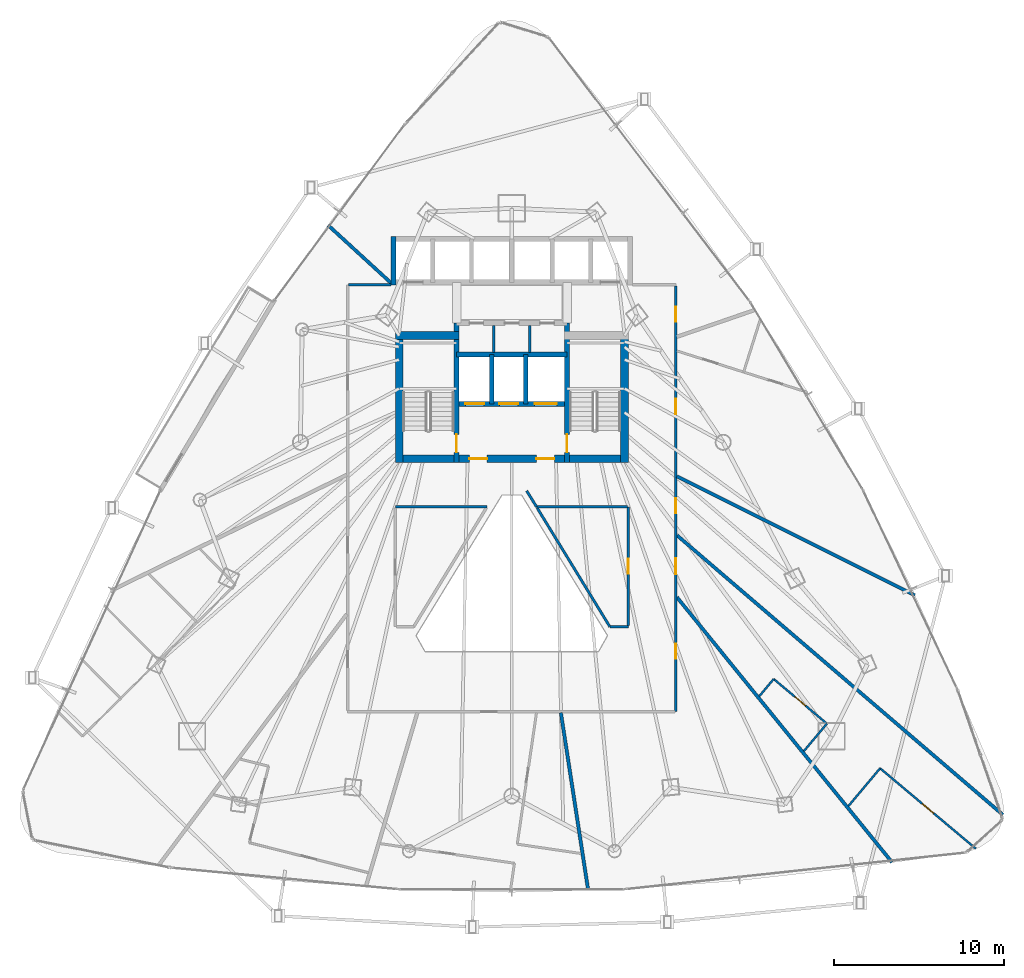
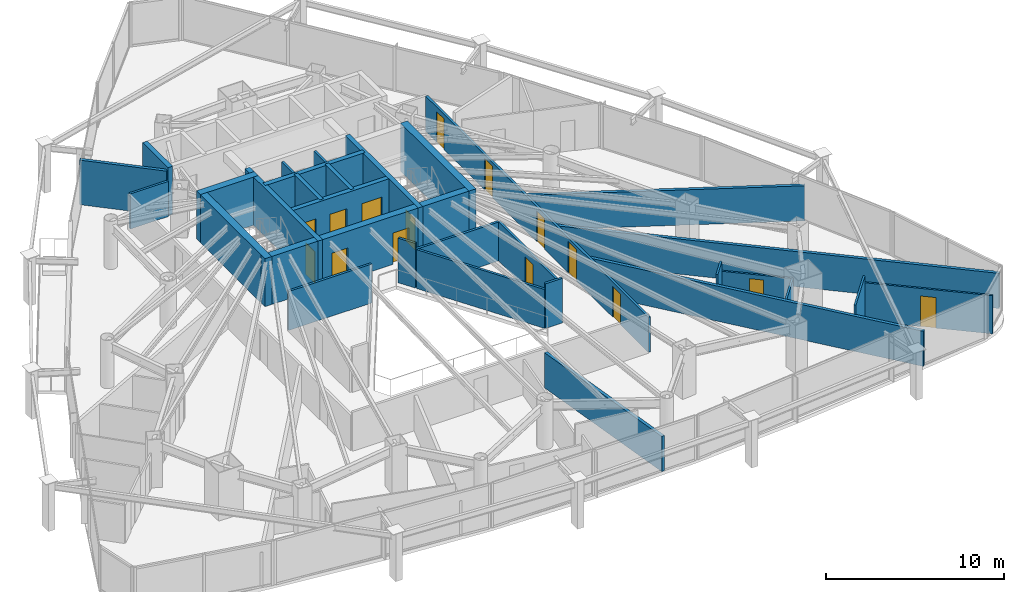
# One storey, part 30 of 35: 31 walls, 15 doors, 15 openings.
"""IFC4 building model written with IfcOpenShell, lengths in metres."""

from ifc_helpers import new_model, si_unit, direction, frame, frame_2d, origin, place, context, subcontext, project, spatial, rectangle, extrude, material, layer, layer_set, type_object, element, fill, save


model = new_model("IFC4")

# Units and contexts
model_context = context("Model", 3, precision=1e-05, world=origin(), true_north=direction((0.0, 1.0)))
body_context = subcontext(model_context, "Body", "Model", "MODEL_VIEW")
ifc_project = project(units=[si_unit("LENGTHUNIT", "METRE"), si_unit("AREAUNIT", "SQUARE_METRE"), si_unit("VOLUMEUNIT", "CUBIC_METRE"), si_unit("PLANEANGLEUNIT", "RADIAN"), si_unit("MASSUNIT", "GRAM", prefix="KILO")], contexts=[model_context])

# Site, building, storey
site_placement = place(None, origin())
site = spatial("IfcSite", under=ifc_project, at=site_placement, CompositionType="ELEMENT")
building_placement = place(site_placement, origin())
building = spatial("IfcBuilding", under=site, at=building_placement, Name="Orvanel Arch Residences", CompositionType="ELEMENT")
storey_placement = place(building_placement, frame((0.0, 0.0, 40.10009765625)))
storey = spatial("IfcBuildingStorey", under=building, at=storey_placement, Name="L10", CompositionType="ELEMENT", Elevation=40.10009765625)

# Walls
ifc_material_1 = material(Name="Concrete N50 (50 MPa)", Category="concrete")
ifc_layer_1 = layer(ifc_material_1, 0.25)
ifc_layer_set_1 = layer_set([ifc_layer_1], Name="Concrete N50 (50 MPa)")
wall_type_1 = type_object("IfcWallType", Name="SW-CORE-250", PredefinedType="SHEAR", material=ifc_layer_set_1)
for number, where, z_axis, x_axis, name in (
    (1, (31.824951171875, 29.89990234375, 0.0), (0.0, 0.0, 1.0), (0.0, 1.0, 0.0), "L10 Emergency Lift Inter-Shaft Wall F12"),
    (2, (33.824951171875, 29.89990234375, 0.0), (0.0, 0.0, 1.0), (0.0, 1.0, 0.0), "L10 Emergency Lift Inter-Shaft Wall F2G"),
):
    element("IfcWall", number, at=place(storey_placement, frame(where, z_axis=z_axis, x_axis=x_axis)), inside=storey, type_object=wall_type_1, Name=name, PredefinedType="SHEAR", context=body_context, shape_type="SweptSolid", body=[
        extrude(rectangle(XDim=2.900146484375, YDim=0.25, at=frame_2d((1.4501953125, 0.0))), origin(), (0.0, 0.0, 1.0), 3.2998046875),
    ])

# Wall, opening, door
ifc_material_2 = material(Name="Concrete S80 (80 MPa)", Category="concrete")
ifc_layer_2 = layer(ifc_material_2, 0.300048828125)
ifc_layer_set_2 = layer_set([ifc_layer_2], Name="Concrete S80 (80 MPa)")
wall_type_2 = type_object("IfcWallType", Name="SW-CORE-300", PredefinedType="SHEAR", material=ifc_layer_set_2)
wall_1_placement = place(storey_placement, frame((29.75, 26.449951171875, 0.0), z_axis=(0.0, 0.0, 1.0), x_axis=(0.0, 1.0, 0.0)))
wall_1 = element("IfcWall", 3, at=wall_1_placement, inside=storey, type_object=wall_type_2, Name="L10 West Inner Core Spine Shear Wall", PredefinedType="SHEAR", context=body_context, shape_type="SweptSolid", body=[
    extrude(rectangle(XDim=8.199951171875, YDim=0.300048828125, at=frame_2d((4.10009765625, 0.0))), origin(), (0.0, 0.0, 1.0), 3.2998046875),
])
opening_1_placement = place(wall_1_placement, frame((0.60009765625, 0.0, 0.0)))
opening_1 = element("IfcOpeningElement", 4, at=opening_1_placement, cuts=wall_1, Name="Opening DF-120", PredefinedType="OPENING", context=body_context, shape_type="SweptSolid", body=[
    extrude(rectangle(XDim=1.050048828125, YDim=2.14990234375, at=frame_2d((0.52490234375, 1.074951171875))), frame((0.0, 0.159912109375, 0.0), z_axis=(0.0, -1.0, 0.0), x_axis=(1.0, 0.0, 0.0)), (0.0, 0.0, 1.0), 0.320068359375),
])
ifc_material_3 = material(Name="Galvanised steel fire-resisting door assembly", Category="steel")
door_type_1 = type_object("IfcDoorType", Name="DR-FD120-1050", OperationType="NOTDEFINED", PredefinedType="DOOR", material=ifc_material_3)
door_1_placement = place(opening_1_placement, origin())
door_1 = element("IfcDoor", 5, at=door_1_placement, inside=storey, type_object=door_type_1, Name="DR-L10-ST1 L10 Stair 1 Fire Door", OperationType="SINGLE_SWING_LEFT", OverallHeight=2.14990234375, OverallWidth=1.050048828125, PredefinedType="DOOR", context=body_context, shape_type="SweptSolid", body=[
    extrude(rectangle(XDim=1.050048828125, YDim=2.14990234375, at=frame_2d((0.52490234375, 1.074951171875))), frame((0.0, 0.02490234375, 0.0), z_axis=(0.0, -1.0, 0.0), x_axis=(1.0, 0.0, 0.0)), (0.0, 0.0, 1.0), 0.050048828125),
])
fill(opening_1, door_1)

wall_2_placement = place(storey_placement, frame((36.25, 26.449951171875, 0.0), z_axis=(0.0, 0.0, 1.0), x_axis=(0.0, 1.0, 0.0)))
wall_2 = element("IfcWall", 6, at=wall_2_placement, inside=storey, type_object=wall_type_2, Name="L10 East Inner Core Spine Shear Wall", PredefinedType="SHEAR", context=body_context, shape_type="SweptSolid", body=[
    extrude(rectangle(XDim=8.199951171875, YDim=0.300048828125, at=frame_2d((4.10009765625, 0.0))), origin(), (0.0, 0.0, 1.0), 3.2998046875),
])
opening_2_placement = place(wall_2_placement, frame((0.60009765625, 0.0, 0.0)))
opening_2 = element("IfcOpeningElement", 7, at=opening_2_placement, cuts=wall_2, Name="Opening DF-120", PredefinedType="OPENING", context=body_context, shape_type="SweptSolid", body=[
    extrude(rectangle(XDim=1.050048828125, YDim=2.14990234375, at=frame_2d((0.52490234375, 1.074951171875))), frame((0.0, 0.159912109375, 0.0), z_axis=(0.0, -1.0, 0.0), x_axis=(1.0, 0.0, 0.0)), (0.0, 0.0, 1.0), 0.320068359375),
])
door_2_placement = place(opening_2_placement, origin())
door_2 = element("IfcDoor", 8, at=door_2_placement, inside=storey, type_object=door_type_1, Name="DR-L10-ST2 L10 Stair 2 Fire Door", OperationType="SINGLE_SWING_RIGHT", OverallHeight=2.14990234375, OverallWidth=1.050048828125, PredefinedType="DOOR", context=body_context, shape_type="SweptSolid", body=[
    extrude(rectangle(XDim=1.050048828125, YDim=2.14990234375, at=frame_2d((0.52490234375, 1.074951171875))), frame((0.0, 0.02490234375, 0.0), z_axis=(0.0, -1.0, 0.0), x_axis=(1.0, 0.0, 0.0)), (0.0, 0.0, 1.0), 0.050048828125),
])
fill(opening_2, door_2)

# Wall, openings, doors
wall_3_placement = place(storey_placement, frame((36.25, 29.89990234375, 0.0), z_axis=(0.0, 0.0, 1.0), x_axis=(-1.0, 0.0, 0.0)))
wall_3 = element("IfcWall", 9, at=wall_3_placement, inside=storey, type_object=wall_type_2, Name="L10 Emergency Lift Front Core Shear Wall", PredefinedType="SHEAR", context=body_context, shape_type="SweptSolid", body=[
    extrude(rectangle(XDim=6.5, YDim=0.300048828125, at=frame_2d((3.25, 0.0))), origin(), (0.0, 0.0, 1.0), 3.2998046875),
])
opening_3_placement = place(wall_3_placement, frame((4.875, 0.0, 0.0)))
opening_3 = element("IfcOpeningElement", 10, at=opening_3_placement, cuts=wall_3, Name="Opening LD-110", PredefinedType="OPENING", context=body_context, shape_type="SweptSolid", body=[
    extrude(rectangle(XDim=1.10009765625, YDim=2.199951171875, at=frame_2d((0.550048828125, 1.10009765625))), frame((0.0, 0.159912109375, 0.0), z_axis=(0.0, -1.0, 0.0), x_axis=(1.0, 0.0, 0.0)), (0.0, 0.0, 1.0), 0.320068359375),
])
opening_4_placement = place(wall_3_placement, frame((2.875, 0.0, 0.0)))
opening_4 = element("IfcOpeningElement", 11, at=opening_4_placement, cuts=wall_3, Name="Opening LD-110", PredefinedType="OPENING", context=body_context, shape_type="SweptSolid", body=[
    extrude(rectangle(XDim=1.10009765625, YDim=2.199951171875, at=frame_2d((0.550048828125, 1.10009765625))), frame((0.0, 0.159912109375, 0.0), z_axis=(0.0, -1.0, 0.0), x_axis=(1.0, 0.0, 0.0)), (0.0, 0.0, 1.0), 0.320068359375),
])
opening_5_placement = place(wall_3_placement, frame((0.60009765625, 0.0, 0.0)))
opening_5 = element("IfcOpeningElement", 12, at=opening_5_placement, cuts=wall_3, Name="Opening LD-130", PredefinedType="OPENING", context=body_context, shape_type="SweptSolid", body=[
    extrude(rectangle(XDim=1.300048828125, YDim=2.199951171875, at=frame_2d((0.64990234375, 1.10009765625))), frame((0.0, 0.159912109375, 0.0), z_axis=(0.0, -1.0, 0.0), x_axis=(1.0, 0.0, 0.0)), (0.0, 0.0, 1.0), 0.320068359375),
])
door_type_2 = type_object("IfcDoorType", Name="DR-LFT-1100", OperationType="NOTDEFINED", PredefinedType="DOOR", material=ifc_material_3)
door_3_placement = place(opening_3_placement, origin())
door_3 = element("IfcDoor", 13, at=door_3_placement, inside=storey, type_object=door_type_2, Name="LD-F1-L10 L10 Lift F1 Sliding Landing Door", OperationType="DOUBLE_DOOR_SLIDING", OverallHeight=2.199951171875, OverallWidth=1.10009765625, PredefinedType="DOOR", context=body_context, shape_type="SweptSolid", body=[
    extrude(rectangle(XDim=1.10009765625, YDim=2.199951171875, at=frame_2d((0.550048828125, 1.10009765625))), frame((0.0, 0.02490234375, 0.0), z_axis=(0.0, -1.0, 0.0), x_axis=(1.0, 0.0, 0.0)), (0.0, 0.0, 1.0), 0.050048828125),
])
fill(opening_3, door_3)
door_4_placement = place(opening_4_placement, origin())
door_4 = element("IfcDoor", 14, at=door_4_placement, inside=storey, type_object=door_type_2, Name="LD-F2-L10 L10 Lift F2 Sliding Landing Door", OperationType="DOUBLE_DOOR_SLIDING", OverallHeight=2.199951171875, OverallWidth=1.10009765625, PredefinedType="DOOR", context=body_context, shape_type="SweptSolid", body=[
    extrude(rectangle(XDim=1.10009765625, YDim=2.199951171875, at=frame_2d((0.550048828125, 1.10009765625))), frame((0.0, 0.02490234375, 0.0), z_axis=(0.0, -1.0, 0.0), x_axis=(1.0, 0.0, 0.0)), (0.0, 0.0, 1.0), 0.050048828125),
])
fill(opening_4, door_4)
door_type_3 = type_object("IfcDoorType", Name="DR-LFT-1300", OperationType="NOTDEFINED", PredefinedType="DOOR", material=ifc_material_3)
door_5_placement = place(opening_5_placement, origin())
door_5 = element("IfcDoor", 15, at=door_5_placement, inside=storey, type_object=door_type_3, Name="LD-G1-L10 L10 Lift G1 Sliding Landing Door", OperationType="DOUBLE_DOOR_SLIDING", OverallHeight=2.199951171875, OverallWidth=1.300048828125, PredefinedType="DOOR", context=body_context, shape_type="SweptSolid", body=[
    extrude(rectangle(XDim=1.300048828125, YDim=2.199951171875, at=frame_2d((0.64990234375, 1.10009765625))), frame((0.0, 0.02490234375, 0.0), z_axis=(0.0, -1.0, 0.0), x_axis=(1.0, 0.0, 0.0)), (0.0, 0.0, 1.0), 0.050048828125),
])
fill(opening_5, door_5)

# Walls
wall_4_placement = place(storey_placement, frame((29.75, 32.800048828125, 0.0), z_axis=(0.0, 0.0, 1.0), x_axis=(1.0, 0.0, 0.0)))
element("IfcWall", 16, at=wall_4_placement, inside=storey, type_object=wall_type_2, Name="L10 Emergency Lift Back Core Shear Wall", PredefinedType="SHEAR", context=body_context, shape_type="SweptSolid", body=[
    extrude(rectangle(XDim=6.5, YDim=0.300048828125, at=frame_2d((3.25, 0.0))), origin(), (0.0, 0.0, 1.0), 3.2998046875),
])
wall_5_placement = place(storey_placement, frame((26.050048828125, 36.89990234375, 0.0), z_axis=(0.0, 0.0, 1.0), x_axis=(0.0, 1.0, 0.0)))
element("IfcWall", 17, at=wall_5_placement, inside=storey, type_object=wall_type_2, Name="L10 Passenger Lift Bank West Shear Wall", PredefinedType="SHEAR", context=body_context, shape_type="SweptSolid", body=[
    extrude(rectangle(XDim=2.85009765625, YDim=0.300048828125, at=frame_2d((1.425048828125, 0.0))), origin(), (0.0, 0.0, 1.0), 3.2998046875),
])

# Wall, openings, doors
ifc_layer_3 = layer(ifc_material_2, 0.449951171875)
ifc_layer_set_3 = layer_set([ifc_layer_3], Name="Concrete S80 (80 MPa)")
wall_type_3 = type_object("IfcWallType", Name="SW-CORE-450", PredefinedType="SHEAR", material=ifc_layer_set_3)
wall_6_placement = place(storey_placement, frame((26.14990234375, 26.675048828125, 0.0), z_axis=(0.0, 0.0, 1.0), x_axis=(1.0, 0.0, 0.0)))
wall_6 = element("IfcWall", 18, at=wall_6_placement, inside=storey, type_object=wall_type_3, Name="L10 South Core Shear Wall", PredefinedType="SHEAR", context=body_context, shape_type="SweptSolid", body=[
    extrude(rectangle(XDim=13.7001953125, YDim=0.449951171875, at=frame_2d((6.85009765625, 0.0))), origin(), (0.0, 0.0, 1.0), 3.2998046875),
])
opening_6_placement = place(wall_6_placement, frame((4.35009765625, 0.0, 0.0)))
opening_6 = element("IfcOpeningElement", 19, at=opening_6_placement, cuts=wall_6, Name="Opening DF-060", PredefinedType="OPENING", context=body_context, shape_type="SweptSolid", body=[
    extrude(rectangle(XDim=1.050048828125, YDim=2.14990234375, at=frame_2d((0.52490234375, 1.074951171875))), frame((0.0, 0.23486328125, 0.0), z_axis=(0.0, -1.0, 0.0), x_axis=(1.0, 0.0, 0.0)), (0.0, 0.0, 1.0), 0.469970703125),
])
opening_7_placement = place(wall_6_placement, frame((8.300048828125, 0.0, 0.0)))
opening_7 = element("IfcOpeningElement", 20, at=opening_7_placement, cuts=wall_6, Name="Opening DF-060", PredefinedType="OPENING", context=body_context, shape_type="SweptSolid", body=[
    extrude(rectangle(XDim=1.050048828125, YDim=2.14990234375, at=frame_2d((0.52490234375, 1.074951171875))), frame((0.0, 0.23486328125, 0.0), z_axis=(0.0, -1.0, 0.0), x_axis=(1.0, 0.0, 0.0)), (0.0, 0.0, 1.0), 0.469970703125),
])
door_type_4 = type_object("IfcDoorType", Name="DR-FD60-1050", OperationType="NOTDEFINED", PredefinedType="DOOR", material=ifc_material_3)
door_6_placement = place(opening_6_placement, origin())
door_6 = element("IfcDoor", 21, at=door_6_placement, inside=storey, type_object=door_type_4, Name="DR-L10-FFL-W L10 West Smoke Lobby Door", OperationType="SINGLE_SWING_LEFT", OverallHeight=2.14990234375, OverallWidth=1.050048828125, PredefinedType="DOOR", context=body_context, shape_type="SweptSolid", body=[
    extrude(rectangle(XDim=1.050048828125, YDim=2.14990234375, at=frame_2d((0.52490234375, 1.074951171875))), frame((0.0, 0.02490234375, 0.0), z_axis=(0.0, -1.0, 0.0), x_axis=(1.0, 0.0, 0.0)), (0.0, 0.0, 1.0), 0.050048828125),
])
fill(opening_6, door_6)
door_7_placement = place(opening_7_placement, origin())
door_7 = element("IfcDoor", 22, at=door_7_placement, inside=storey, type_object=door_type_4, Name="DR-L10-FFL-E L10 East Smoke Lobby Door", OperationType="SINGLE_SWING_RIGHT", OverallHeight=2.14990234375, OverallWidth=1.050048828125, PredefinedType="DOOR", context=body_context, shape_type="SweptSolid", body=[
    extrude(rectangle(XDim=1.050048828125, YDim=2.14990234375, at=frame_2d((0.52490234375, 1.074951171875))), frame((0.0, 0.02490234375, 0.0), z_axis=(0.0, -1.0, 0.0), x_axis=(1.0, 0.0, 0.0)), (0.0, 0.0, 1.0), 0.050048828125),
])
fill(opening_7, door_7)

# Walls
wall_7_placement = place(storey_placement, frame((26.375, 26.449951171875, 0.0), z_axis=(0.0, 0.0, 1.0), x_axis=(0.0, 1.0, 0.0)))
element("IfcWall", 23, at=wall_7_placement, inside=storey, type_object=wall_type_3, Name="L10 West Stair Shear Wall", PredefinedType="SHEAR", context=body_context, shape_type="SweptSolid", body=[
    extrude(rectangle(XDim=7.699951171875, YDim=0.449951171875, at=frame_2d((3.85009765625, 0.0))), origin(), (0.0, 0.0, 1.0), 3.2998046875),
])
wall_8_placement = place(storey_placement, frame((26.14990234375, 33.925048828125, 0.0), z_axis=(0.0, 0.0, 1.0), x_axis=(1.0, 0.0, 0.0)))
element("IfcWall", 24, at=wall_8_placement, inside=storey, type_object=wall_type_3, Name="L10 West Stair North Shear Wall", PredefinedType="SHEAR", context=body_context, shape_type="SweptSolid", body=[
    extrude(rectangle(XDim=3.75, YDim=0.449951171875, at=frame_2d((1.875, 0.0))), origin(), (0.0, 0.0, 1.0), 3.2998046875),
])
wall_9_placement = place(storey_placement, frame((39.625, 26.449951171875, 0.0), z_axis=(0.0, 0.0, 1.0), x_axis=(0.0, 1.0, 0.0)))
element("IfcWall", 25, at=wall_9_placement, inside=storey, type_object=wall_type_3, Name="L10 East Stair Shear Wall", PredefinedType="SHEAR", context=body_context, shape_type="SweptSolid", body=[
    extrude(rectangle(XDim=7.699951171875, YDim=0.449951171875, at=frame_2d((3.85009765625, 0.0))), origin(), (0.0, 0.0, 1.0), 3.2998046875),
])

# Wall, openings, doors
ifc_material_4 = material(Name="Fire-rated plasterboard lined steel stud partition", Category="steel")
ifc_layer_4 = layer(ifc_material_4, 0.14990234375)
ifc_layer_set_4 = layer_set([ifc_layer_4], Name="Fire-rated plasterboard lined steel stud partition")
wall_type_4 = type_object("IfcWallType", Name="W-COR-150", PredefinedType="PARTITIONING", material=ifc_layer_set_4)
wall_10_placement = place(storey_placement, frame((42.64990234375, 36.840087890625, 0.0), z_axis=(0.0, 0.0, 1.0), x_axis=(0.0, -1.0, 0.0)))
wall_10 = element("IfcWall", 26, at=wall_10_placement, inside=storey, type_object=wall_type_4, Name="L10 Corridor Fire-Rated Partition", PredefinedType="PARTITIONING", context=body_context, shape_type="SweptSolid", body=[
    extrude(rectangle(XDim=25.0400390625, YDim=0.14990234375, at=frame_2d((12.52001953125, 0.0))), origin(), (0.0, 0.0, 1.0), 2.412841796875),
])
opening_8_placement = place(wall_10_placement, frame((1.218994140625, 0.0, 0.0)))
opening_8 = element("IfcOpeningElement", 27, at=opening_8_placement, cuts=wall_10, Name="Opening DI-088", PredefinedType="OPENING", context=body_context, shape_type="SweptSolid", body=[
    extrude(rectangle(XDim=0.8798828125, YDim=2.10009765625, at=frame_2d((0.43994140625, 1.050048828125))), frame((0.0, 0.0849609375, 0.0), z_axis=(0.0, -1.0, 0.0), x_axis=(1.0, 0.0, 0.0)), (0.0, 0.0, 1.0), 0.169921875),
])
opening_9_placement = place(wall_10_placement, frame((21.047119140625, 0.0, 0.0)))
opening_9 = element("IfcOpeningElement", 28, at=opening_9_placement, cuts=wall_10, Name="Opening DI-088", PredefinedType="OPENING", context=body_context, shape_type="SweptSolid", body=[
    extrude(rectangle(XDim=0.8798828125, YDim=2.10009765625, at=frame_2d((0.43994140625, 1.050048828125))), frame((0.0, 0.0849609375, 0.0), z_axis=(0.0, -1.0, 0.0), x_axis=(1.0, 0.0, 0.0)), (0.0, 0.0, 1.0), 0.169921875),
])
opening_10_placement = place(wall_10_placement, frame((16.029052734375, 0.0, 0.0)))
opening_10 = element("IfcOpeningElement", 29, at=opening_10_placement, cuts=wall_10, Name="Opening DA-092", PredefinedType="OPENING", context=body_context, shape_type="SweptSolid", body=[
    extrude(rectangle(XDim=0.919921875, YDim=2.14990234375, at=frame_2d((0.4599609375, 1.074951171875))), frame((0.0, 0.0849609375, 0.0), z_axis=(0.0, -1.0, 0.0), x_axis=(1.0, 0.0, 0.0)), (0.0, 0.0, 1.0), 0.169921875),
])
opening_11_placement = place(wall_10_placement, frame((12.486083984375, 0.0, 0.0)))
opening_11 = element("IfcOpeningElement", 30, at=opening_11_placement, cuts=wall_10, Name="Opening DI-088", PredefinedType="OPENING", context=body_context, shape_type="SweptSolid", body=[
    extrude(rectangle(XDim=0.8798828125, YDim=2.10009765625, at=frame_2d((0.43994140625, 1.050048828125))), frame((0.0, 0.0849609375, 0.0), z_axis=(0.0, -1.0, 0.0), x_axis=(1.0, 0.0, 0.0)), (0.0, 0.0, 1.0), 0.169921875),
])
opening_12_placement = place(wall_10_placement, frame((6.637939453125, 0.0, 0.0)))
opening_12 = element("IfcOpeningElement", 31, at=opening_12_placement, cuts=wall_10, Name="Opening DA-092", PredefinedType="OPENING", context=body_context, shape_type="SweptSolid", body=[
    extrude(rectangle(XDim=0.919921875, YDim=2.14990234375, at=frame_2d((0.4599609375, 1.074951171875))), frame((0.0, 0.0849609375, 0.0), z_axis=(0.0, -1.0, 0.0), x_axis=(1.0, 0.0, 0.0)), (0.0, 0.0, 1.0), 0.169921875),
])
ifc_material_5 = material(Name="Solid-core European oak veneer fire door leaf", Category="wood")
door_type_5 = type_object("IfcDoorType", Name="DR-APT-920", OperationType="NOTDEFINED", PredefinedType="DOOR", material=ifc_material_5)
door_8_placement = place(opening_10_placement, origin())
door_8 = element("IfcDoor", 32, at=door_8_placement, inside=storey, type_object=door_type_5, Name="DR-L10-G-ENT L10 Studio G Entrance Door", OperationType="SINGLE_SWING_RIGHT", OverallHeight=2.14990234375, OverallWidth=0.919921875, PredefinedType="DOOR", context=body_context, shape_type="SweptSolid", body=[
    extrude(rectangle(XDim=0.919921875, YDim=2.14990234375, at=frame_2d((0.4599609375, 1.074951171875))), frame((0.0, 0.02490234375, 0.0), z_axis=(0.0, -1.0, 0.0), x_axis=(1.0, 0.0, 0.0)), (0.0, 0.0, 1.0), 0.050048828125),
])
fill(opening_10, door_8)
door_9_placement = place(opening_12_placement, origin())
door_9 = element("IfcDoor", 33, at=door_9_placement, inside=storey, type_object=door_type_5, Name="DR-L10-I-ENT L10 Studio I Entrance Door", OperationType="SINGLE_SWING_RIGHT", OverallHeight=2.14990234375, OverallWidth=0.919921875, PredefinedType="DOOR", context=body_context, shape_type="SweptSolid", body=[
    extrude(rectangle(XDim=0.919921875, YDim=2.14990234375, at=frame_2d((0.4599609375, 1.074951171875))), frame((0.0, 0.02490234375, 0.0), z_axis=(0.0, -1.0, 0.0), x_axis=(1.0, 0.0, 0.0)), (0.0, 0.0, 1.0), 0.050048828125),
])
fill(opening_12, door_9)
door_type_6 = type_object("IfcDoorType", Name="DR-INT-880", OperationType="NOTDEFINED", PredefinedType="DOOR", material=ifc_material_5)
door_10_placement = place(opening_8_placement, origin())
door_10 = element("IfcDoor", 34, at=door_10_placement, inside=storey, type_object=door_type_6, Name="DR-L10-SHRD-FB2 L10 Co-Working Study Office B Door", OperationType="SINGLE_SWING_LEFT", OverallHeight=2.10009765625, OverallWidth=0.8798828125, PredefinedType="DOOR", context=body_context, shape_type="SweptSolid", body=[
    extrude(rectangle(XDim=0.8798828125, YDim=2.10009765625, at=frame_2d((0.43994140625, 1.050048828125))), frame((0.0, 0.02490234375, 0.0), z_axis=(0.0, -1.0, 0.0), x_axis=(1.0, 0.0, 0.0)), (0.0, 0.0, 1.0), 0.050048828125),
])
fill(opening_8, door_10)
door_11_placement = place(opening_9_placement, origin())
door_11 = element("IfcDoor", 35, at=door_11_placement, inside=storey, type_object=door_type_6, Name="DR-L10-SHRD-FB3 L10 Co-Working Study Office C Door", OperationType="SINGLE_SWING_LEFT", OverallHeight=2.10009765625, OverallWidth=0.8798828125, PredefinedType="DOOR", context=body_context, shape_type="SweptSolid", body=[
    extrude(rectangle(XDim=0.8798828125, YDim=2.10009765625, at=frame_2d((0.43994140625, 1.050048828125))), frame((0.0, 0.02490234375, 0.0), z_axis=(0.0, -1.0, 0.0), x_axis=(1.0, 0.0, 0.0)), (0.0, 0.0, 1.0), 0.050048828125),
])
fill(opening_9, door_11)
door_12_placement = place(opening_11_placement, origin())
door_12 = element("IfcDoor", 36, at=door_12_placement, inside=storey, type_object=door_type_6, Name="DR-L10-SHRD-FB8 L10 Co-Working Study Office H Door", OperationType="SINGLE_SWING_LEFT", OverallHeight=2.10009765625, OverallWidth=0.8798828125, PredefinedType="DOOR", context=body_context, shape_type="SweptSolid", body=[
    extrude(rectangle(XDim=0.8798828125, YDim=2.10009765625, at=frame_2d((0.43994140625, 1.050048828125))), frame((0.0, 0.02490234375, 0.0), z_axis=(0.0, -1.0, 0.0), x_axis=(1.0, 0.0, 0.0)), (0.0, 0.0, 1.0), 0.050048828125),
])
fill(opening_11, door_12)

# Walls
wall_11_placement = place(storey_placement, frame((23.409912109375, 36.89990234375, 0.0), z_axis=(0.0, 0.0, 1.0), x_axis=(1.0, 0.0, 0.0)))
element("IfcWall", 37, at=wall_11_placement, inside=storey, type_object=wall_type_4, Name="L10 Corridor Fire-Rated Partition", PredefinedType="PARTITIONING", context=body_context, shape_type="SweptSolid", body=[
    extrude(rectangle(XDim=2.489990234375, YDim=0.14990234375, at=frame_2d((1.2451171875, 0.0))), origin(), (0.0, 0.0, 1.0), 2.412841796875),
])
wall_12_placement = place(storey_placement, frame((31.544921875, 23.85009765625, 0.0), z_axis=(0.0, 0.0, 1.0), x_axis=(-1.0, 0.0, 0.0)))
element("IfcWall", 38, at=wall_12_placement, inside=storey, type_object=wall_type_4, Name="L10 Corridor Fire-Rated Partition", PredefinedType="PARTITIONING", context=body_context, shape_type="SweptSolid", body=[
    extrude(rectangle(XDim=5.39501953125, YDim=0.14990234375, at=frame_2d((2.697509765625, 0.0))), origin(), (0.0, 0.0, 1.0), 2.6689453125),
])
wall_13_placement = place(storey_placement, frame((38.763916015625, 16.800048828125, 0.0), z_axis=(0.0, 0.0, 1.0), x_axis=(1.0, 0.0, 0.0)))
element("IfcWall", 39, at=wall_13_placement, inside=storey, type_object=wall_type_4, Name="L10 Corridor Fire-Rated Partition", PredefinedType="PARTITIONING", context=body_context, shape_type="SweptSolid", body=[
    extrude(rectangle(XDim=1.086181640625, YDim=0.14990234375, at=frame_2d((0.54296875, 0.0))), origin(), (0.0, 0.0, 1.0), 3.059814453125),
])

# Wall, opening, door
wall_14_placement = place(storey_placement, frame((39.85009765625, 16.860107421875, 0.0), z_axis=(0.0, 0.0, 1.0), x_axis=(0.0, 1.0, 0.0)))
wall_14 = element("IfcWall", 40, at=wall_14_placement, inside=storey, type_object=wall_type_4, Name="L10 Corridor Fire-Rated Partition", PredefinedType="PARTITIONING", context=body_context, shape_type="SweptSolid", body=[
    extrude(rectangle(XDim=6.989990234375, YDim=0.14990234375, at=frame_2d((3.4951171875, 0.0))), origin(), (0.0, 0.0, 1.0), 2.6689453125),
])
opening_13_placement = place(wall_14_placement, frame((3.054931640625, 0.0, 0.0)))
opening_13 = element("IfcOpeningElement", 41, at=opening_13_placement, cuts=wall_14, Name="Opening DI-088", PredefinedType="OPENING", context=body_context, shape_type="SweptSolid", body=[
    extrude(rectangle(XDim=0.8798828125, YDim=2.10009765625, at=frame_2d((0.43994140625, 1.050048828125))), frame((0.0, 0.0849609375, 0.0), z_axis=(0.0, -1.0, 0.0), x_axis=(1.0, 0.0, 0.0)), (0.0, 0.0, 1.0), 0.169921875),
])
door_13_placement = place(opening_13_placement, origin())
door_13 = element("IfcDoor", 42, at=door_13_placement, inside=storey, type_object=door_type_6, Name="DR-L10-SHRD-FB11 L10 Co-Working Study Office K Door", OperationType="SINGLE_SWING_LEFT", OverallHeight=2.10009765625, OverallWidth=0.8798828125, PredefinedType="DOOR", context=body_context, shape_type="SweptSolid", body=[
    extrude(rectangle(XDim=0.8798828125, YDim=2.10009765625, at=frame_2d((0.43994140625, 1.050048828125))), frame((0.0, 0.02490234375, 0.0), z_axis=(0.0, -1.0, 0.0), x_axis=(1.0, 0.0, 0.0)), (0.0, 0.0, 1.0), 0.050048828125),
])
fill(opening_13, door_13)

# Walls
wall_15_placement = place(storey_placement, frame((39.7900390625, 23.85009765625, 0.0), z_axis=(0.0, 0.0, 1.0), x_axis=(-1.0, 0.0, 0.0)))
element("IfcWall", 43, at=wall_15_placement, inside=storey, type_object=wall_type_4, Name="L10 Corridor Fire-Rated Partition", PredefinedType="PARTITIONING", context=body_context, shape_type="SweptSolid", body=[
    extrude(rectangle(XDim=5.3349609375, YDim=0.14990234375, at=frame_2d((2.66748046875, 0.0))), origin(), (0.0, 0.0, 1.0), 2.6689453125),
])
wall_16_placement = place(storey_placement, frame((34.455078125, 23.85009765625, 0.0), z_axis=(0.0, 0.0, 1.0), x_axis=(-0.525973516201, 0.850500946652, 0.0)))
element("IfcWall", 44, at=wall_16_placement, inside=storey, type_object=wall_type_4, Name="L10 Corridor Fire-Rated Partition", PredefinedType="PARTITIONING", context=body_context, shape_type="SweptSolid", body=[
    extrude(rectangle(XDim=1.102783203125, YDim=0.14990234375, at=frame_2d((0.55126953125, 0.0))), origin(), (0.0, 0.0, 1.0), 3.059814453125),
])
wall_17_placement = place(storey_placement, frame((34.486083984375, 23.7900390625, 0.0), z_axis=(0.0, 0.0, 1.0), x_axis=(0.521998190399, -0.852946592244, 0.0)))
element("IfcWall", 45, at=wall_17_placement, inside=storey, type_object=wall_type_4, Name="L10 Atrium Overlook Glazed Partition", PredefinedType="PARTITIONING", context=body_context, shape_type="SweptSolid", body=[
    extrude(rectangle(XDim=8.195068359375, YDim=0.14990234375, at=frame_2d((4.09765625, 0.0))), origin(), (0.0, 0.0, 1.0), 2.6689453125),
])
ifc_layer_5 = layer(ifc_material_4, 0.199951171875)
ifc_layer_set_5 = layer_set([ifc_layer_5], Name="Fire-rated plasterboard lined steel stud partition")
wall_type_5 = type_object("IfcWallType", Name="W-DEM-200", PredefinedType="PARTITIONING", material=ifc_layer_set_5)
wall_18_placement = place(storey_placement, frame((25.89990234375, 37.010009765625, 0.0), z_axis=(0.0, 0.0, 1.0), x_axis=(-0.737010798249, 0.675880968266, 0.0)))
element("IfcWall", 46, at=wall_18_placement, inside=storey, type_object=wall_type_5, Name="L10 Inter-Tenancy Acoustic Demising Wall", PredefinedType="PARTITIONING", context=body_context, shape_type="SweptSolid", body=[
    extrude(rectangle(XDim=5.020263671875, YDim=0.199951171875, at=frame_2d((2.51025390625, 0.0))), origin(), (0.0, 0.0, 1.0), 3.059814453125),
])
wall_19_placement = place(storey_placement, frame((37.490966796875, 1.31298828125, 0.0), z_axis=(0.0, 0.0, 1.0), x_axis=(-0.152133698634, 0.988359923176, 0.0)))
element("IfcWall", 47, at=wall_19_placement, inside=storey, type_object=wall_type_5, Name="L10 Inter-Tenancy Acoustic Demising Wall", PredefinedType="PARTITIONING", context=body_context, shape_type="SweptSolid", body=[
    extrude(rectangle(XDim=10.5498046875, YDim=0.199951171875, at=frame_2d((5.27490234375, 0.0))), origin(), (0.0, 0.0, 1.0), 2.412841796875),
])
wall_20_placement = place(storey_placement, frame((42.7099609375, 18.532958984375, 0.0), z_axis=(0.0, 0.0, 1.0), x_axis=(0.630093983448, -0.776518880661, 0.0)))
element("IfcWall", 48, at=wall_20_placement, inside=storey, type_object=wall_type_5, Name="L10 Inter-Tenancy Acoustic Demising Wall", PredefinedType="PARTITIONING", context=body_context, shape_type="SweptSolid", body=[
    extrude(rectangle(XDim=20.078125, YDim=0.199951171875, at=frame_2d((10.0390625, 0.0))), origin(), (0.0, 0.0, 1.0), 2.412841796875),
])
wall_21_placement = place(storey_placement, frame((42.7099609375, 22.173095703125, 0.0), z_axis=(0.0, 0.0, 1.0), x_axis=(0.759115981911, -0.650955394791, 0.0)))
element("IfcWall", 49, at=wall_21_placement, inside=storey, type_object=wall_type_5, Name="L10 Inter-Tenancy Acoustic Demising Wall", PredefinedType="PARTITIONING", context=body_context, shape_type="SweptSolid", body=[
    extrude(rectangle(XDim=25.2490234375, YDim=0.199951171875, at=frame_2d((12.62451171875, 0.0))), origin(), (0.0, 0.0, 1.0), 2.412841796875),
])
wall_22_placement = place(storey_placement, frame((42.7099609375, 25.64404296875, 0.0), z_axis=(0.0, 0.0, 1.0), x_axis=(0.894389742198, -0.447288485265, 0.0)))
element("IfcWall", 50, at=wall_22_placement, inside=storey, type_object=wall_type_5, Name="L10 Inter-Tenancy Acoustic Demising Wall", PredefinedType="PARTITIONING", context=body_context, shape_type="SweptSolid", body=[
    extrude(rectangle(XDim=15.647705078125, YDim=0.199951171875, at=frame_2d((7.82373046875, 0.0))), origin(), (0.0, 0.0, 1.0), 2.412841796875),
])
ifc_layer_6 = layer(ifc_material_4, 0.14990234375)
ifc_layer_set_6 = layer_set([ifc_layer_6], Name="Fire-rated plasterboard lined steel stud partition")
wall_type_6 = type_object("IfcWallType", Name="W-ST-150", PredefinedType="PARTITIONING", material=ifc_layer_set_6)
for number, where, z_axis, x_axis, name in (
    (51, (31.949951171875, 32.93505859375, 0.0), (0.0, 0.0, 1.0), (0.0, 1.0, 0.0), "L10 Core Service Partition 1"),
    (52, (34.050048828125, 32.93505859375, 0.0), (0.0, 0.0, 1.0), (0.0, 1.0, 0.0), "L10 Core Service Partition 2"),
):
    element("IfcWall", number, at=place(storey_placement, frame(where, z_axis=z_axis, x_axis=x_axis)), inside=storey, type_object=wall_type_6, Name=name, PredefinedType="PARTITIONING", context=body_context, shape_type="SweptSolid", body=[
        extrude(rectangle(XDim=1.579833984375, YDim=0.14990234375, at=frame_2d((0.7900390625, 0.0))), origin(), (0.0, 0.0, 1.0), 3.059814453125),
    ])
ifc_material_6 = material(Name="Acoustic plasterboard lined twin-stud partition", Category="gypsum")
ifc_layer_7 = layer(ifc_material_6, 0.1201171875)
ifc_layer_set_7 = layer_set([ifc_layer_7], Name="Acoustic plasterboard lined twin-stud partition")
wall_type_7 = type_object("IfcWallType", Name="W-WET-120", PredefinedType="PARTITIONING", material=ifc_layer_set_7)
wall_23_placement = place(storey_placement, frame((50.1689453125, 9.47607421875, 0.0), z_axis=(0.0, 0.0, 1.0), x_axis=(0.642802339764, 0.766032082875, 0.0)))
element("IfcWall", 53, at=wall_23_placement, inside=storey, type_object=wall_type_7, Name="L10 Studio G Bathroom Partition", PredefinedType="PARTITIONING", context=body_context, shape_type="SweptSolid", body=[
    extrude(rectangle(XDim=2.115966796875, YDim=0.1201171875, at=frame_2d((1.05810546875, 0.0))), origin(), (0.0, 0.0, 1.0), 2.412841796875),
])

# Wall, opening, door
wall_24_placement = place(storey_placement, frame((51.529052734375, 11.096923828125, 0.0), z_axis=(0.0, 0.0, 1.0), x_axis=(-0.766026296222, 0.642809235696, 0.0)))
wall_24 = element("IfcWall", 54, at=wall_24_placement, inside=storey, type_object=wall_type_7, Name="L10 Studio G Bathroom Partition", PredefinedType="PARTITIONING", context=body_context, shape_type="SweptSolid", body=[
    extrude(rectangle(XDim=4.083740234375, YDim=0.1201171875, at=frame_2d((2.0419921875, 0.0))), origin(), (0.0, 0.0, 1.0), 2.412841796875),
])
opening_14_placement = place(wall_24_placement, frame((1.632080078125, 0.0, 0.0)))
opening_14 = element("IfcOpeningElement", 55, at=opening_14_placement, cuts=wall_24, Name="Opening DW-082", PredefinedType="OPENING", context=body_context, shape_type="SweptSolid", body=[
    extrude(rectangle(XDim=0.820068359375, YDim=2.10009765625, at=frame_2d((0.41015625, 1.050048828125))), frame((0.0, 0.070068359375, 0.0), z_axis=(0.0, -1.0, 0.0), x_axis=(1.0, 0.0, 0.0)), (0.0, 0.0, 1.0), 0.14013671875),
])
door_type_7 = type_object("IfcDoorType", Name="DR-WET-820", OperationType="NOTDEFINED", PredefinedType="DOOR", material=ifc_material_5)
door_14_placement = place(opening_14_placement, origin())
door_14 = element("IfcDoor", 56, at=door_14_placement, inside=storey, type_object=door_type_7, Name="DR-L10-G-BATH L10 Studio G Bathroom Door", OperationType="SINGLE_SWING_RIGHT", OverallHeight=2.10009765625, OverallWidth=0.820068359375, PredefinedType="DOOR", context=body_context, shape_type="SweptSolid", body=[
    extrude(rectangle(XDim=0.820068359375, YDim=2.10009765625, at=frame_2d((0.41015625, 1.050048828125))), frame((0.0, 0.02490234375, 0.0), z_axis=(0.0, -1.0, 0.0), x_axis=(1.0, 0.0, 0.0)), (0.0, 0.0, 1.0), 0.050048828125),
])
fill(opening_14, door_14)

# Wall
wall_25_placement = place(storey_placement, frame((48.40087890625, 13.721923828125, 0.0), z_axis=(0.0, 0.0, 1.0), x_axis=(-0.642587875402, -0.76621199572, 0.0)))
element("IfcWall", 57, at=wall_25_placement, inside=storey, type_object=wall_type_7, Name="L10 Studio G Bathroom Partition", PredefinedType="PARTITIONING", context=body_context, shape_type="SweptSolid", body=[
    extrude(rectangle(XDim=1.3271484375, YDim=0.1201171875, at=frame_2d((0.66357421875, 0.0))), origin(), (0.0, 0.0, 1.0), 3.059814453125),
])

# Wall, opening, door
wall_26_placement = place(storey_placement, frame((60.287109375, 3.7451171875, 0.0), z_axis=(0.0, 0.0, 1.0), x_axis=(-0.765937745649, 0.642914745351, 0.0)))
wall_26 = element("IfcWall", 58, at=wall_26_placement, inside=storey, type_object=wall_type_7, Name="L10 Studio G Internal Partition", PredefinedType="PARTITIONING", context=body_context, shape_type="SweptSolid", body=[
    extrude(rectangle(XDim=7.3505859375, YDim=0.1201171875, at=frame_2d((3.67529296875, 0.0))), origin(), (0.0, 0.0, 1.0), 2.618896484375),
])
opening_15_placement = place(wall_26_placement, frame((3.235107421875, 0.0, 0.0)))
opening_15 = element("IfcOpeningElement", 59, at=opening_15_placement, cuts=wall_26, Name="Opening DI-088", PredefinedType="OPENING", context=body_context, shape_type="SweptSolid", body=[
    extrude(rectangle(XDim=0.8798828125, YDim=2.10009765625, at=frame_2d((0.43994140625, 1.050048828125))), frame((0.0, 0.070068359375, 0.0), z_axis=(0.0, -1.0, 0.0), x_axis=(1.0, 0.0, 0.0)), (0.0, 0.0, 1.0), 0.14013671875),
])
door_15_placement = place(opening_15_placement, origin())
door_15 = element("IfcDoor", 60, at=door_15_placement, inside=storey, type_object=door_type_6, Name="DR-L10-G-KIT L10 Studio G Kitchenette Door", OperationType="SINGLE_SWING_LEFT", OverallHeight=2.10009765625, OverallWidth=0.8798828125, PredefinedType="DOOR", context=body_context, shape_type="SweptSolid", body=[
    extrude(rectangle(XDim=0.8798828125, YDim=2.10009765625, at=frame_2d((0.43994140625, 1.050048828125))), frame((0.0, 0.02490234375, 0.0), z_axis=(0.0, -1.0, 0.0), x_axis=(1.0, 0.0, 0.0)), (0.0, 0.0, 1.0), 0.050048828125),
])
fill(opening_15, door_15)

# Wall
wall_27_placement = place(storey_placement, frame((54.656982421875, 8.470947265625, 0.0), z_axis=(0.0, 0.0, 1.0), x_axis=(-0.6429989132, -0.765867088746, 0.0)))
element("IfcWall", 61, at=wall_27_placement, inside=storey, type_object=wall_type_7, Name="L10 Studio G Internal Partition", PredefinedType="PARTITIONING", context=body_context, shape_type="SweptSolid", body=[
    extrude(rectangle(XDim=2.905029296875, YDim=0.1201171875, at=frame_2d((1.45263671875, 0.0))), origin(), (0.0, 0.0, 1.0), 3.059814453125),
])

save(model, "model.ifc")
